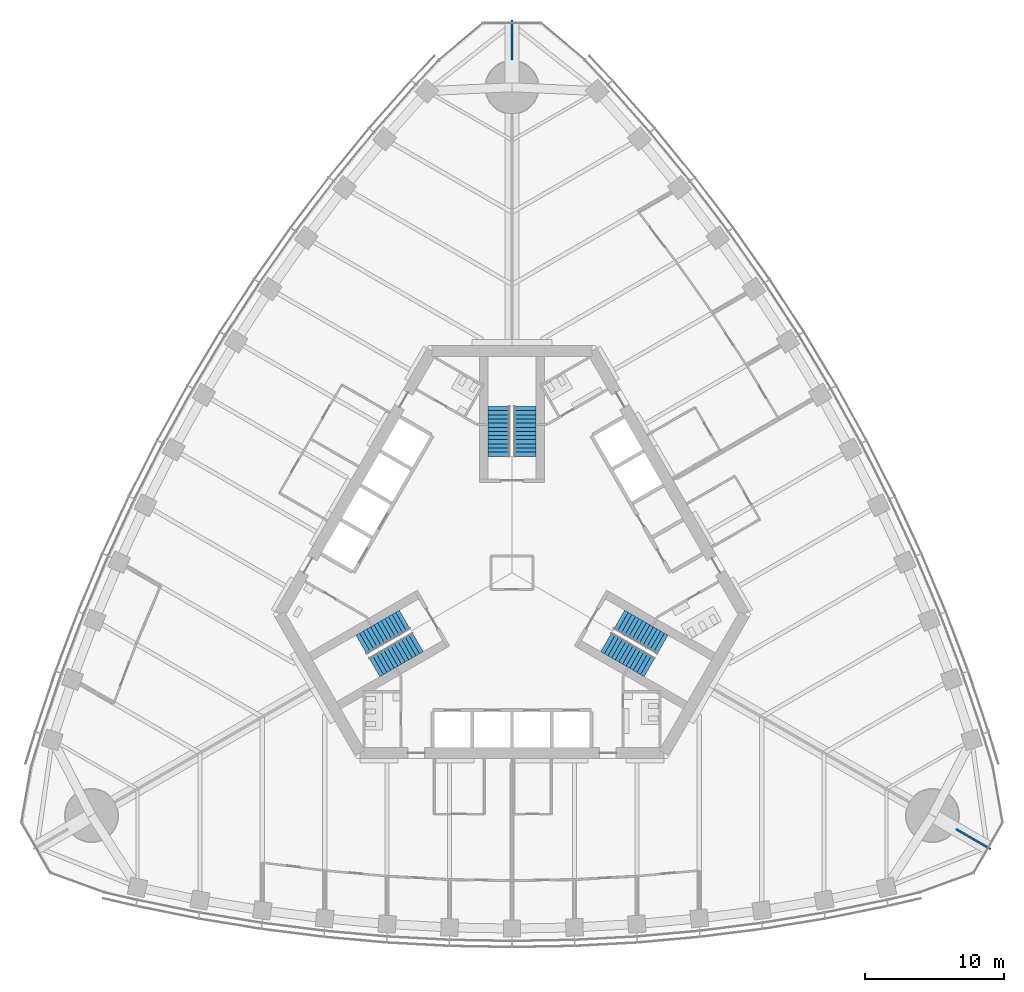
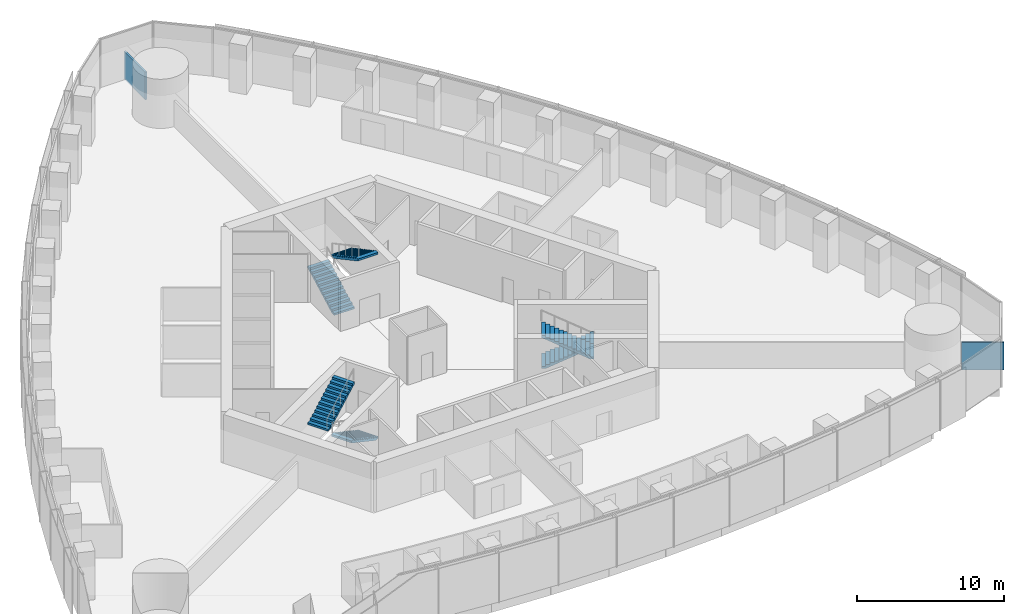
# One storey, part 14 of 19: 6 stair flights, 2 walls, 3 elements without a shape of their own.
"""IFC4 building model written with IfcOpenShell, lengths in metres."""

from ifc_helpers import new_model, si_unit, direction, frame, frame_2d, origin, place, context, subcontext, project, spatial, polyline, rectangle, outline, extrude, material, layer, layer_set, type_object, element, aggregate, save


model = new_model("IFC4")

# Units and contexts
model_context = context("Model", 3, precision=1e-05, world=origin(), true_north=direction((0.0, 1.0)))
body_context = subcontext(model_context, "Body", "Model", "MODEL_VIEW")
ifc_project = project(units=[si_unit("LENGTHUNIT", "METRE"), si_unit("AREAUNIT", "SQUARE_METRE"), si_unit("VOLUMEUNIT", "CUBIC_METRE"), si_unit("PLANEANGLEUNIT", "RADIAN"), si_unit("MASSUNIT", "GRAM", prefix="KILO")], contexts=[model_context])

# Site, building, storey
site_placement = place(None, origin())
site = spatial("IfcSite", under=ifc_project, at=site_placement, CompositionType="ELEMENT")
building_placement = place(site_placement, origin())
building = spatial("IfcBuilding", under=site, at=building_placement, Name="Trefoil Bronze Tower", CompositionType="ELEMENT")
storey_placement = place(building_placement, frame((0.0, 0.0, 140.89990234375)))
storey = spatial("IfcBuildingStorey", under=building, at=storey_placement, Name="L32", CompositionType="ELEMENT", Elevation=140.89990234375)

# Walls
ifc_material_1 = material(Name="Gypsum board on steel studs", Category="steel")
ifc_layer = layer(ifc_material_1, 0.14990234375)
ifc_layer_set = layer_set([ifc_layer], Name="Party wall 150")
wall_type = type_object("IfcWallType", Name="Party wall 150", PredefinedType="PARTITIONING", material=ifc_layer_set)
wall_1_placement = place(storey_placement, frame((31.999755859375, -18.47509765625, 0.0), z_axis=(0.0, 0.0, 1.0), x_axis=(0.866042548026, -0.499970304126, 0.0)))
element("IfcWall", 1, at=wall_1_placement, inside=storey, type_object=wall_type, Name="Party wall K1 L32", PredefinedType="PARTITIONING", context=body_context, shape_type="SweptSolid", body=[
    extrude(rectangle(XDim=2.899169921875, YDim=0.14990234375, at=frame_2d((1.44970703125, 0.0))), origin(), (0.0, 0.0, 1.0), 2.300048828125),
])
wall_2_placement = place(storey_placement, frame((0.0, 36.949951171875, 0.0), z_axis=(0.0, 0.0, 1.0), x_axis=(0.0, 1.0, 0.0)))
element("IfcWall", 2, at=wall_2_placement, inside=storey, type_object=wall_type, Name="Party wall K2 L32", PredefinedType="PARTITIONING", context=body_context, shape_type="SweptSolid", body=[
    extrude(rectangle(XDim=2.8994140625, YDim=0.14990234375, at=frame_2d((1.44970703125, 0.0))), origin(), (0.0, 0.0, 1.0), 2.300048828125),
])

# Stair, stair flights
ifc_material_2 = material(Name="Precast concrete B80", Category="concrete")
stair_type = type_object("IfcStairType", Name="Exit stair 26 risers", PredefinedType="HALF_TURN_STAIR", material=ifc_material_2)
stair_1_placement = place(storey_placement, origin())
stair_1 = element("IfcStair", 3, at=stair_1_placement, inside=storey, type_object=stair_type, Name="Stair ST1 L32", PredefinedType="HALF_TURN_STAIR")
ifc_material_3 = material(Name="Precast concrete B80", Category="concrete")
stair_flight_type = type_object("IfcStairFlightType", Name="Stair flight 1600", PredefinedType="STRAIGHT", material=ifc_material_3)
stair_flight_1_placement = place(storey_placement, frame((7.728515625, -3.39404296875, 0.0), z_axis=(0.0, 0.0, 1.0), x_axis=(0.866025403784, -0.5, 0.0)))
stair_flight_1 = element("IfcStairFlight", 4, at=stair_flight_1_placement, type_object=stair_flight_type, Name="ST1 flight 1", NumberOfRisers=13, NumberOfTreads=12, PredefinedType="STRAIGHT", RiserHeight=0.161538462, TreadLength=0.3, context=body_context, shape_type="SweptSolid", body=[
    extrude(outline(polyline([(0.0, 0.0), (0.0, 0.16162109375), (0.300048828125, 0.16162109375), (0.300048828125, 0.322998046875), (0.60009765625, 0.322998046875), (0.60009765625, 0.484619140625), (0.89990234375, 0.484619140625), (0.89990234375, 0.646240234375), (1.199951171875, 0.646240234375), (1.199951171875, 0.8076171875), (1.5, 0.8076171875), (1.5, 0.96923828125), (1.800048828125, 0.96923828125), (1.800048828125, 1.130859375), (2.10009765625, 1.130859375), (2.10009765625, 1.292236328125), (2.39990234375, 1.292236328125), (2.39990234375, 1.453857421875), (2.699951171875, 1.453857421875), (2.699951171875, 1.615478515625), (3.0, 1.615478515625), (3.0, 1.77685546875), (3.300048828125, 1.77685546875), (3.300048828125, 1.9384765625), (3.60009765625, 1.9384765625), (3.60009765625, 2.10009765625), (3.60009765625, 1.768310546875), (0.316162109375, 0.0), (0.0, 0.0)])), frame((0.0, 0.800048828125, 0.0), z_axis=(0.0, -1.0, 0.0), x_axis=(1.0, 0.0, 0.0)), (0.0, 0.0, 1.0), 1.60009765625),
])
stair_flight_2_placement = place(storey_placement, frame((9.921142578125, -6.796142578125, 2.10009765625), z_axis=(0.0, 0.0, 1.0), x_axis=(-0.866025403784, 0.5, 0.0)))
stair_flight_2 = element("IfcStairFlight", 5, at=stair_flight_2_placement, type_object=stair_flight_type, Name="ST1 flight 2", NumberOfRisers=13, NumberOfTreads=12, PredefinedType="STRAIGHT", RiserHeight=0.161538462, TreadLength=0.3, context=body_context, shape_type="SweptSolid", body=[
    extrude(outline(polyline([(0.0, 0.0), (0.0, 0.16162109375), (0.300048828125, 0.16162109375), (0.300048828125, 0.322998046875), (0.60009765625, 0.322998046875), (0.60009765625, 0.484619140625), (0.89990234375, 0.484619140625), (0.89990234375, 0.646240234375), (1.199951171875, 0.646240234375), (1.199951171875, 0.8076171875), (1.5, 0.8076171875), (1.5, 0.96923828125), (1.800048828125, 0.96923828125), (1.800048828125, 1.130859375), (2.10009765625, 1.130859375), (2.10009765625, 1.292236328125), (2.39990234375, 1.292236328125), (2.39990234375, 1.453857421875), (2.699951171875, 1.453857421875), (2.699951171875, 1.615478515625), (3.0, 1.615478515625), (3.0, 1.77685546875), (3.300048828125, 1.77685546875), (3.300048828125, 1.9384765625), (3.60009765625, 1.9384765625), (3.60009765625, 2.10009765625), (3.60009765625, 1.768310546875), (0.316162109375, 0.0), (0.0, 0.0)])), frame((0.0, 0.800048828125, 0.0), z_axis=(0.0, -1.0, 0.0), x_axis=(1.0, 0.0, 0.0)), (0.0, 0.0, 1.0), 1.60009765625),
])
aggregate(stair_1, [stair_flight_1, stair_flight_2])

stair_2_placement = place(storey_placement, origin())
stair_2 = element("IfcStair", 6, at=stair_2_placement, inside=storey, type_object=stair_type, Name="Stair ST2 L32", PredefinedType="HALF_TURN_STAIR")
stair_flight_3_placement = place(storey_placement, frame((-0.925048828125, 8.389892578125, 0.0), z_axis=(0.0, 0.0, 1.0), x_axis=(0.0, 1.0, 0.0)))
stair_flight_3 = element("IfcStairFlight", 7, at=stair_flight_3_placement, type_object=stair_flight_type, Name="ST2 flight 1", NumberOfRisers=13, NumberOfTreads=12, PredefinedType="STRAIGHT", RiserHeight=0.161538462, TreadLength=0.3, context=body_context, shape_type="SweptSolid", body=[
    extrude(outline(polyline([(0.0, 0.0), (0.0, 0.16162109375), (0.300048828125, 0.16162109375), (0.300048828125, 0.322998046875), (0.60009765625, 0.322998046875), (0.60009765625, 0.484619140625), (0.89990234375, 0.484619140625), (0.89990234375, 0.646240234375), (1.199951171875, 0.646240234375), (1.199951171875, 0.8076171875), (1.5, 0.8076171875), (1.5, 0.96923828125), (1.800048828125, 0.96923828125), (1.800048828125, 1.130859375), (2.10009765625, 1.130859375), (2.10009765625, 1.292236328125), (2.39990234375, 1.292236328125), (2.39990234375, 1.453857421875), (2.699951171875, 1.453857421875), (2.699951171875, 1.615478515625), (3.0, 1.615478515625), (3.0, 1.77685546875), (3.300048828125, 1.77685546875), (3.300048828125, 1.9384765625), (3.60009765625, 1.9384765625), (3.60009765625, 2.10009765625), (3.60009765625, 1.768310546875), (0.316162109375, 0.0), (0.0, 0.0)])), frame((0.0, 0.800048828125, 0.0), z_axis=(0.0, -1.0, 0.0), x_axis=(1.0, 0.0, 0.0)), (0.0, 0.0, 1.0), 1.60009765625),
])
stair_flight_4_placement = place(storey_placement, frame((0.925048828125, 11.989990234375, 2.10009765625), z_axis=(0.0, 0.0, 1.0), x_axis=(0.0, -1.0, 0.0)))
stair_flight_4 = element("IfcStairFlight", 8, at=stair_flight_4_placement, type_object=stair_flight_type, Name="ST2 flight 2", NumberOfRisers=13, NumberOfTreads=12, PredefinedType="STRAIGHT", RiserHeight=0.161538462, TreadLength=0.3, context=body_context, shape_type="SweptSolid", body=[
    extrude(outline(polyline([(0.0, 0.0), (0.0, 0.16162109375), (0.300048828125, 0.16162109375), (0.300048828125, 0.322998046875), (0.60009765625, 0.322998046875), (0.60009765625, 0.484619140625), (0.89990234375, 0.484619140625), (0.89990234375, 0.646240234375), (1.199951171875, 0.646240234375), (1.199951171875, 0.8076171875), (1.5, 0.8076171875), (1.5, 0.96923828125), (1.800048828125, 0.96923828125), (1.800048828125, 1.130859375), (2.10009765625, 1.130859375), (2.10009765625, 1.292236328125), (2.39990234375, 1.292236328125), (2.39990234375, 1.453857421875), (2.699951171875, 1.453857421875), (2.699951171875, 1.615478515625), (3.0, 1.615478515625), (3.0, 1.77685546875), (3.300048828125, 1.77685546875), (3.300048828125, 1.9384765625), (3.60009765625, 1.9384765625), (3.60009765625, 2.10009765625), (3.60009765625, 1.768310546875), (0.316162109375, 0.0), (0.0, 0.0)])), frame((0.0, 0.800048828125, 0.0), z_axis=(0.0, -1.0, 0.0), x_axis=(1.0, 0.0, 0.0)), (0.0, 0.0, 1.0), 1.60009765625),
])
aggregate(stair_2, [stair_flight_3, stair_flight_4])

stair_3_placement = place(storey_placement, origin())
stair_3 = element("IfcStair", 9, at=stair_3_placement, inside=storey, type_object=stair_type, Name="Stair ST3 L32", PredefinedType="HALF_TURN_STAIR")
stair_flight_5_placement = place(storey_placement, frame((-6.803466796875, -4.99609375, 0.0), z_axis=(0.0, 0.0, 1.0), x_axis=(-0.866025403784, -0.5, 0.0)))
stair_flight_5 = element("IfcStairFlight", 10, at=stair_flight_5_placement, type_object=stair_flight_type, Name="ST3 flight 1", NumberOfRisers=13, NumberOfTreads=12, PredefinedType="STRAIGHT", RiserHeight=0.161538462, TreadLength=0.3, context=body_context, shape_type="SweptSolid", body=[
    extrude(outline(polyline([(0.0, 0.0), (0.0, 0.16162109375), (0.300048828125, 0.16162109375), (0.300048828125, 0.322998046875), (0.60009765625, 0.322998046875), (0.60009765625, 0.484619140625), (0.89990234375, 0.484619140625), (0.89990234375, 0.646240234375), (1.199951171875, 0.646240234375), (1.199951171875, 0.8076171875), (1.5, 0.8076171875), (1.5, 0.96923828125), (1.800048828125, 0.96923828125), (1.800048828125, 1.130859375), (2.10009765625, 1.130859375), (2.10009765625, 1.292236328125), (2.39990234375, 1.292236328125), (2.39990234375, 1.453857421875), (2.699951171875, 1.453857421875), (2.699951171875, 1.615478515625), (3.0, 1.615478515625), (3.0, 1.77685546875), (3.300048828125, 1.77685546875), (3.300048828125, 1.9384765625), (3.60009765625, 1.9384765625), (3.60009765625, 2.10009765625), (3.60009765625, 1.768310546875), (0.316162109375, 0.0), (0.0, 0.0)])), frame((0.0, 0.800048828125, 0.0), z_axis=(0.0, -1.0, 0.0), x_axis=(1.0, 0.0, 0.0)), (0.0, 0.0, 1.0), 1.60009765625),
])
stair_flight_6_placement = place(storey_placement, frame((-10.84619140625, -5.19384765625, 2.10009765625), z_axis=(0.0, 0.0, 1.0), x_axis=(0.866025403784, 0.5, 0.0)))
stair_flight_6 = element("IfcStairFlight", 11, at=stair_flight_6_placement, type_object=stair_flight_type, Name="ST3 flight 2", NumberOfRisers=13, NumberOfTreads=12, PredefinedType="STRAIGHT", RiserHeight=0.161538462, TreadLength=0.3, context=body_context, shape_type="SweptSolid", body=[
    extrude(outline(polyline([(0.0, 0.0), (0.0, 0.16162109375), (0.300048828125, 0.16162109375), (0.300048828125, 0.322998046875), (0.60009765625, 0.322998046875), (0.60009765625, 0.484619140625), (0.89990234375, 0.484619140625), (0.89990234375, 0.646240234375), (1.199951171875, 0.646240234375), (1.199951171875, 0.8076171875), (1.5, 0.8076171875), (1.5, 0.96923828125), (1.800048828125, 0.96923828125), (1.800048828125, 1.130859375), (2.10009765625, 1.130859375), (2.10009765625, 1.292236328125), (2.39990234375, 1.292236328125), (2.39990234375, 1.453857421875), (2.699951171875, 1.453857421875), (2.699951171875, 1.615478515625), (3.0, 1.615478515625), (3.0, 1.77685546875), (3.300048828125, 1.77685546875), (3.300048828125, 1.9384765625), (3.60009765625, 1.9384765625), (3.60009765625, 2.10009765625), (3.60009765625, 1.768310546875), (0.316162109375, 0.0), (0.0, 0.0)])), frame((0.0, 0.800048828125, 0.0), z_axis=(0.0, -1.0, 0.0), x_axis=(1.0, 0.0, 0.0)), (0.0, 0.0, 1.0), 1.60009765625),
])
aggregate(stair_3, [stair_flight_5, stair_flight_6])

save(model, "model.ifc")
